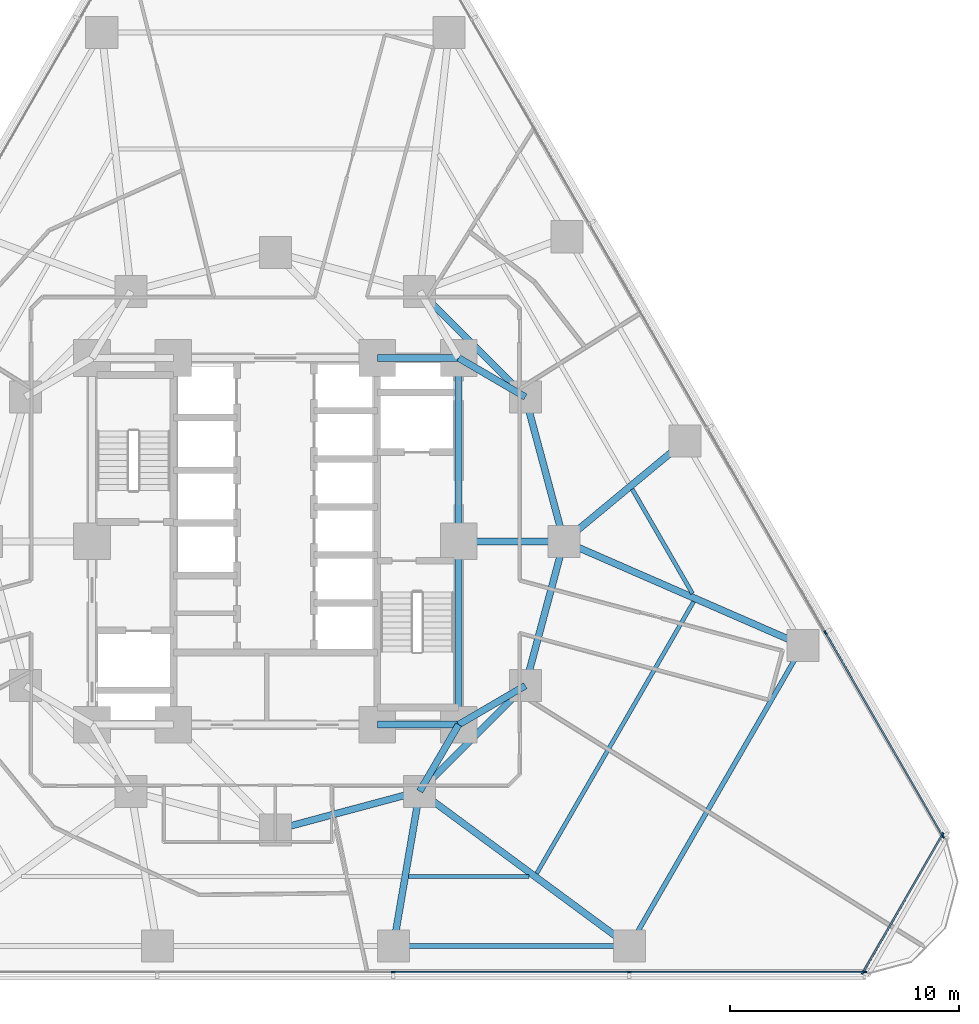
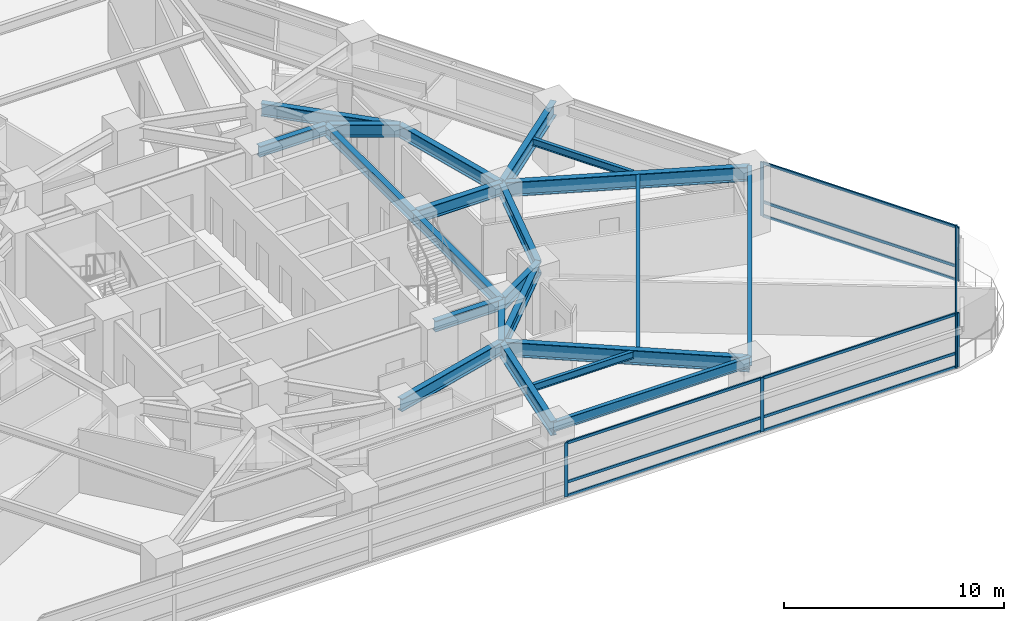
# One storey, part 4 of 15: 22 beams, 19 members, 3 elements without a shape of their own.
"""IFC4 building model written with IfcOpenShell, lengths in metres."""

from ifc_helpers import new_model, si_unit, direction, frame, origin, origin_2d, place, context, subcontext, project, spatial, rectangle, i_section, extrude, material, layer, layer_set, material_profile, profile_set, type_object, element, aggregate, save


model = new_model("IFC4")

# Units and contexts
model_context = context("Model", 3, precision=1e-05, world=origin(), true_north=direction((0.0, 1.0)))
body_context = subcontext(model_context, "Body", "Model", "MODEL_VIEW")
ifc_project = project(units=[si_unit("LENGTHUNIT", "METRE"), si_unit("AREAUNIT", "SQUARE_METRE"), si_unit("VOLUMEUNIT", "CUBIC_METRE"), si_unit("PLANEANGLEUNIT", "RADIAN"), si_unit("MASSUNIT", "GRAM", prefix="KILO")], contexts=[model_context])

# Site, building, storey
site_placement = place(None, origin())
site = spatial("IfcSite", under=ifc_project, at=site_placement, CompositionType="ELEMENT")
building_placement = place(site_placement, origin())
building = spatial("IfcBuilding", under=site, at=building_placement, Name="Terralouvre Media Tower", CompositionType="ELEMENT")
storey_placement = place(building_placement, frame((0.0, 0.0, 33.39990234375)))
storey = spatial("IfcBuildingStorey", under=building, at=storey_placement, Name="L07", CompositionType="ELEMENT", Elevation=33.39990234375)

# Beams
ifc_material_1 = material(Name="Structural steel S355J2", Category="steel")
ifc_material_profile_1 = material_profile(ifc_material_1, i_section(OverallWidth=0.179931640625, OverallDepth=0.39990234375, WebThickness=0.008544921875, FlangeThickness=0.013427734375, at=origin_2d()), Name="IPE 400")
ifc_profile_set_1 = profile_set([ifc_material_profile_1], Name="Structural steel S355J2")
beam_type_1 = type_object("IfcBeamType", Name="Composite Floor Joist J-IPE400 (IPE 400)", PredefinedType="JOIST", material=ifc_profile_set_1)
beam_1_placement = place(storey_placement, frame((5.817626953125, -14.627197265625, 3.300048828125), z_axis=(1.0, 0.0, 0.0), x_axis=(0.0, 1.0, 0.0)))
element("IfcBeam", 1, at=beam_1_placement, inside=storey, type_object=beam_type_1, Name="L07 Framing Beam JT-L07-04", PredefinedType="JOIST", context=body_context, shape_type="SweptSolid", body=[
    extrude(i_section(OverallWidth=0.179931640625, OverallDepth=0.39990234375, WebThickness=0.008544921875, FlangeThickness=0.013427734375, at=origin_2d()), origin(), (0.0, 0.0, 1.0), 5.264404296875),
])
beam_2_placement = place(storey_placement, frame((11.407470703125, -14.4970703125, 3.300048828125), z_axis=(0.500011895338, 0.866018535899, 0.0), x_axis=(-0.866018535899, 0.500011895338, 0.0)))
element("IfcBeam", 2, at=beam_2_placement, inside=storey, type_object=beam_type_1, Name="L07 Framing Beam JT-L07-05", PredefinedType="JOIST", context=body_context, shape_type="SweptSolid", body=[
    extrude(i_section(OverallWidth=0.179931640625, OverallDepth=0.39990234375, WebThickness=0.008544921875, FlangeThickness=0.013427734375, at=origin_2d()), origin(), (0.0, 0.0, 1.0), 13.702392578125),
])
beam_3_placement = place(storey_placement, frame((18.20849609375, -2.28369140625, 3.300048828125), z_axis=(-0.500019514865, 0.866014136579, 0.0), x_axis=(-0.866014136579, -0.500019514865, 0.0)))
element("IfcBeam", 3, at=beam_3_placement, inside=storey, type_object=beam_type_1, Name="L07 Framing Beam JT-L07-06", PredefinedType="JOIST", context=body_context, shape_type="SweptSolid", body=[
    extrude(i_section(OverallWidth=0.179931640625, OverallDepth=0.39990234375, WebThickness=0.008544921875, FlangeThickness=0.013427734375, at=origin_2d()), origin(), (0.0, 0.0, 1.0), 5.264404296875),
])

# Curtain wall, members
ifc_material_2 = material(Name="Low-iron laminated double glazing with solar-control coating", Category="glass")
ifc_layer_1 = layer(ifc_material_2, 0.1650390625, Name="Lower Media Tower Unitised Curtain Wall CW-02")
ifc_layer_set_1 = layer_set([ifc_layer_1], Name="Low-iron laminated double glazing with solar-control coating")
curtain_wall_type_1 = type_object("IfcCurtainWallType", Name="Lower Media Tower Unitised Curtain Wall CW-02", PredefinedType="NOTDEFINED", material=ifc_layer_set_1)
curtain_wall_1_placement = place(storey_placement, origin())
curtain_wall_1 = element("IfcCurtainWall", 4, at=curtain_wall_1_placement, inside=storey, type_object=curtain_wall_type_1, Name="L07 Facade Curtain Wall F0", PredefinedType="NOTDEFINED")
ifc_material_3 = material(Name="Anodised extruded aluminium 6063-T6", Category="aluminium")
ifc_material_profile_2 = material_profile(ifc_material_3, rectangle(XDim=0.074951171875, YDim=0.14990234375, at=origin_2d()), Name="ALU 75x150")
ifc_profile_set_2 = profile_set([ifc_material_profile_2], Name="Anodised extruded aluminium 6063-T6")
member_type_1 = type_object("IfcMemberType", Name="Curtain-Wall Horizontal Transom TR-150", PredefinedType="USERDEFINED", material=ifc_profile_set_2)
member_1_placement = place(storey_placement, frame((5.1875, -18.796875, 0.03759765625), z_axis=(1.0, 0.0, 0.0), x_axis=(0.0, 1.0, 0.0)))
member_1 = element("IfcMember", 5, at=member_1_placement, type_object=member_type_1, Name="CW-02 transom 4.1", ObjectType="TRANSOM", PredefinedType="USERDEFINED", context=body_context, shape_type="SweptSolid", body=[
    extrude(rectangle(XDim=0.074951171875, YDim=0.14990234375, at=origin_2d()), origin(), (0.0, 0.0, 1.0), 10.22509765625),
])
member_2_placement = place(storey_placement, frame((5.1875, -18.796875, 0.800048828125), z_axis=(1.0, 0.0, 0.0), x_axis=(0.0, 1.0, 0.0)))
member_2 = element("IfcMember", 6, at=member_2_placement, type_object=member_type_1, Name="CW-02 transom 4.2", ObjectType="TRANSOM", PredefinedType="USERDEFINED", context=body_context, shape_type="SweptSolid", body=[
    extrude(rectangle(XDim=0.074951171875, YDim=0.14990234375, at=origin_2d()), origin(), (0.0, 0.0, 1.0), 10.22509765625),
])
member_3_placement = place(storey_placement, frame((5.1875, -18.796875, 2.962646484375), z_axis=(1.0, 0.0, 0.0), x_axis=(0.0, 1.0, 0.0)))
member_3 = element("IfcMember", 7, at=member_3_placement, type_object=member_type_1, Name="CW-02 transom 4.3", ObjectType="TRANSOM", PredefinedType="USERDEFINED", context=body_context, shape_type="SweptSolid", body=[
    extrude(rectangle(XDim=0.074951171875, YDim=0.14990234375, at=origin_2d()), origin(), (0.0, 0.0, 1.0), 10.22509765625),
])
member_4_placement = place(storey_placement, frame((15.487548828125, -18.796875, 0.03759765625), z_axis=(1.0, 0.0, 0.0), x_axis=(0.0, 1.0, 0.0)))
member_4 = element("IfcMember", 8, at=member_4_placement, type_object=member_type_1, Name="CW-02 transom 5.1", ObjectType="TRANSOM", PredefinedType="USERDEFINED", context=body_context, shape_type="SweptSolid", body=[
    extrude(rectangle(XDim=0.074951171875, YDim=0.14990234375, at=origin_2d()), origin(), (0.0, 0.0, 1.0), 10.1875),
])
member_5_placement = place(storey_placement, frame((15.487548828125, -18.796875, 0.800048828125), z_axis=(1.0, 0.0, 0.0), x_axis=(0.0, 1.0, 0.0)))
member_5 = element("IfcMember", 9, at=member_5_placement, type_object=member_type_1, Name="CW-02 transom 5.2", ObjectType="TRANSOM", PredefinedType="USERDEFINED", context=body_context, shape_type="SweptSolid", body=[
    extrude(rectangle(XDim=0.074951171875, YDim=0.14990234375, at=origin_2d()), origin(), (0.0, 0.0, 1.0), 10.1875),
])
member_6_placement = place(storey_placement, frame((15.487548828125, -18.796875, 2.962646484375), z_axis=(1.0, 0.0, 0.0), x_axis=(0.0, 1.0, 0.0)))
member_6 = element("IfcMember", 10, at=member_6_placement, type_object=member_type_1, Name="CW-02 transom 5.3", ObjectType="TRANSOM", PredefinedType="USERDEFINED", context=body_context, shape_type="SweptSolid", body=[
    extrude(rectangle(XDim=0.074951171875, YDim=0.14990234375, at=origin_2d()), origin(), (0.0, 0.0, 1.0), 10.1875),
])

curtain_wall_2_placement = place(storey_placement, origin())
curtain_wall_2 = element("IfcCurtainWall", 11, at=curtain_wall_2_placement, inside=storey, type_object=curtain_wall_type_1, Name="L07 Facade Curtain Wall F1", PredefinedType="NOTDEFINED")
member_7_placement = place(storey_placement, frame((29.115966796875, -12.8369140625, 0.03759765625), z_axis=(-0.499994895054, 0.866028351106, 0.0), x_axis=(-0.866028351106, -0.499994895054, 0.0)))
member_7 = element("IfcMember", 12, at=member_7_placement, type_object=member_type_1, Name="CW-02 transom 1.1", ObjectType="TRANSOM", PredefinedType="USERDEFINED", context=body_context, shape_type="SweptSolid", body=[
    extrude(rectangle(XDim=0.074951171875, YDim=0.14990234375, at=origin_2d()), origin(), (0.0, 0.0, 1.0), 10.1875),
])
member_8_placement = place(storey_placement, frame((29.115966796875, -12.8369140625, 0.800048828125), z_axis=(-0.499994895054, 0.866028351106, 0.0), x_axis=(-0.866028351106, -0.499994895054, 0.0)))
member_8 = element("IfcMember", 13, at=member_8_placement, type_object=member_type_1, Name="CW-02 transom 1.2", ObjectType="TRANSOM", PredefinedType="USERDEFINED", context=body_context, shape_type="SweptSolid", body=[
    extrude(rectangle(XDim=0.074951171875, YDim=0.14990234375, at=origin_2d()), origin(), (0.0, 0.0, 1.0), 10.1875),
])
member_9_placement = place(storey_placement, frame((29.115966796875, -12.8369140625, 2.962646484375), z_axis=(-0.499994895054, 0.866028351106, 0.0), x_axis=(-0.866028351106, -0.499994895054, 0.0)))
member_9 = element("IfcMember", 14, at=member_9_placement, type_object=member_type_1, Name="CW-02 transom 1.3", ObjectType="TRANSOM", PredefinedType="USERDEFINED", context=body_context, shape_type="SweptSolid", body=[
    extrude(rectangle(XDim=0.074951171875, YDim=0.14990234375, at=origin_2d()), origin(), (0.0, 0.0, 1.0), 10.1875),
])

ifc_material_4 = material(Name="Low-iron laminated double glazing with solar-control coating", Category="glass")
ifc_layer_2 = layer(ifc_material_4, 0.1650390625, Name="Rounded Wind-Corner Curved Glazing CW-04")
ifc_layer_set_2 = layer_set([ifc_layer_2], Name="Low-iron laminated double glazing with solar-control coating")
curtain_wall_type_2 = type_object("IfcCurtainWallType", Name="Rounded Wind-Corner Curved Glazing CW-04", PredefinedType="NOTDEFINED", material=ifc_layer_set_2)
curtain_wall_3_placement = place(storey_placement, origin())
curtain_wall_3 = element("IfcCurtainWall", 15, at=curtain_wall_3_placement, inside=storey, type_object=curtain_wall_type_2, Name="L07 Rounded Wind-Corner Curtain Wall C1", PredefinedType="NOTDEFINED")
member_10_placement = place(storey_placement, frame((25.666259765625, -18.78173828125, 0.03759765625), z_axis=(0.499998495495, 0.866026272409, 0.0), x_axis=(-0.866026272409, 0.499998495495, 0.0)))
member_10 = element("IfcMember", 16, at=member_10_placement, type_object=member_type_1, Name="CW-04 transom 1.1", ObjectType="TRANSOM", PredefinedType="USERDEFINED", context=body_context, shape_type="SweptSolid", body=[
    extrude(rectangle(XDim=0.074951171875, YDim=0.14990234375, at=origin_2d()), origin(), (0.0, 0.0, 1.0), 6.86474609375),
])
member_11_placement = place(storey_placement, frame((25.666259765625, -18.78173828125, 0.800048828125), z_axis=(0.499998495495, 0.866026272409, 0.0), x_axis=(-0.866026272409, 0.499998495495, 0.0)))
member_11 = element("IfcMember", 17, at=member_11_placement, type_object=member_type_1, Name="CW-04 transom 1.2", ObjectType="TRANSOM", PredefinedType="USERDEFINED", context=body_context, shape_type="SweptSolid", body=[
    extrude(rectangle(XDim=0.074951171875, YDim=0.14990234375, at=origin_2d()), origin(), (0.0, 0.0, 1.0), 6.86474609375),
])
member_12_placement = place(storey_placement, frame((25.666259765625, -18.78173828125, 2.962646484375), z_axis=(0.499998495495, 0.866026272409, 0.0), x_axis=(-0.866026272409, 0.499998495495, 0.0)))
member_12 = element("IfcMember", 18, at=member_12_placement, type_object=member_type_1, Name="CW-04 transom 1.3", ObjectType="TRANSOM", PredefinedType="USERDEFINED", context=body_context, shape_type="SweptSolid", body=[
    extrude(rectangle(XDim=0.074951171875, YDim=0.14990234375, at=origin_2d()), origin(), (0.0, 0.0, 1.0), 6.86474609375),
])

# Member
ifc_material_5 = material(Name="Anodised extruded aluminium 6063-T6", Category="aluminium")
ifc_material_profile_3 = material_profile(ifc_material_5, rectangle(XDim=0.074951171875, YDim=0.179931640625, at=origin_2d()), Name="ALU 75x180")
ifc_profile_set_3 = profile_set([ifc_material_profile_3], Name="Anodised extruded aluminium 6063-T6")
member_type_2 = type_object("IfcMemberType", Name="Curtain-Wall Vertical Mullion ML-180", PredefinedType="MULLION", material=ifc_profile_set_3)
member_13_placement = place(storey_placement, frame((5.14990234375, -18.796875, 0.0), z_axis=(0.0, 0.0, 1.0), x_axis=(0.0, 1.0, 0.0)))
member_13 = element("IfcMember", 19, at=member_13_placement, type_object=member_type_2, Name="CW-02 mullion 4", PredefinedType="MULLION", context=body_context, shape_type="SweptSolid", body=[
    extrude(rectangle(XDim=0.074951171875, YDim=0.179931640625, at=origin_2d()), origin(), (0.0, 0.0, 1.0), 3.0),
])

member_14_placement = place(storey_placement, frame((15.449951171875, -18.796875, 0.0), z_axis=(0.0, 0.0, 1.0), x_axis=(0.0, 1.0, 0.0)))
member_14 = element("IfcMember", 20, at=member_14_placement, type_object=member_type_2, Name="CW-02 mullion 5", PredefinedType="MULLION", context=body_context, shape_type="SweptSolid", body=[
    extrude(rectangle(XDim=0.074951171875, YDim=0.179931640625, at=origin_2d()), origin(), (0.0, 0.0, 1.0), 3.0),
])

member_15_placement = place(storey_placement, frame((25.71240234375, -18.796875, 0.0), z_axis=(0.0, 0.0, 1.0), x_axis=(0.0, 1.0, 0.0)))
member_15 = element("IfcMember", 21, at=member_15_placement, type_object=member_type_2, Name="CW-02 mullion 6", PredefinedType="MULLION", context=body_context, shape_type="SweptSolid", body=[
    extrude(rectangle(XDim=0.074951171875, YDim=0.179931640625, at=origin_2d()), origin(), (0.0, 0.0, 1.0), 3.0),
])

aggregate(curtain_wall_1, [member_13, member_14, member_15, member_1, member_2, member_3, member_4, member_5, member_6])

member_16_placement = place(storey_placement, frame((29.134765625, -12.869384765625, 0.0), z_axis=(0.0, 0.0, 1.0), x_axis=(-0.866025412057, -0.499999985671, 0.0)))
member_16 = element("IfcMember", 22, at=member_16_placement, type_object=member_type_2, Name="CW-02 mullion 1", PredefinedType="MULLION", context=body_context, shape_type="SweptSolid", body=[
    extrude(rectangle(XDim=0.074951171875, YDim=0.179931640625, at=origin_2d()), origin(), (0.0, 0.0, 1.0), 3.0),
])

member_17_placement = place(storey_placement, frame((24.00341796875, -3.981689453125, 0.0), z_axis=(0.0, 0.0, 1.0), x_axis=(-0.866025412057, -0.499999985671, 0.0)))
member_17 = element("IfcMember", 23, at=member_17_placement, type_object=member_type_2, Name="CW-02 mullion 2", PredefinedType="MULLION", context=body_context, shape_type="SweptSolid", body=[
    extrude(rectangle(XDim=0.074951171875, YDim=0.179931640625, at=origin_2d()), origin(), (0.0, 0.0, 1.0), 3.0),
])

aggregate(curtain_wall_2, [member_16, member_17, member_7, member_8, member_9])

member_18_placement = place(storey_placement, frame((25.6474609375, -18.814208984375, 0.0), z_axis=(0.0, 0.0, 1.0), x_axis=(-0.866025581895, 0.499999691503, 0.0)))
member_18 = element("IfcMember", 24, at=member_18_placement, type_object=member_type_2, Name="CW-04 mullion 1", PredefinedType="MULLION", context=body_context, shape_type="SweptSolid", body=[
    extrude(rectangle(XDim=0.074951171875, YDim=0.179931640625, at=origin_2d()), origin(), (0.0, 0.0, 1.0), 3.0),
])

member_19_placement = place(storey_placement, frame((29.117431640625, -12.80419921875, 0.0), z_axis=(0.0, 0.0, 1.0), x_axis=(-0.866025581895, 0.499999691503, 0.0)))
member_19 = element("IfcMember", 25, at=member_19_placement, type_object=member_type_2, Name="CW-04 mullion 2", PredefinedType="MULLION", context=body_context, shape_type="SweptSolid", body=[
    extrude(rectangle(XDim=0.074951171875, YDim=0.179931640625, at=origin_2d()), origin(), (0.0, 0.0, 1.0), 3.0),
])

aggregate(curtain_wall_3, [member_18, member_19, member_10, member_11, member_12])

# Beams
ifc_material_6 = material(Name="Structural steel S355J2", Category="steel")
ifc_material_profile_4 = material_profile(ifc_material_6, i_section(OverallWidth=0.2099609375, OverallDepth=0.550048828125, WebThickness=0.010986328125, FlangeThickness=0.01708984375, at=origin_2d()), Name="IPE 550")
ifc_profile_set_4 = profile_set([ifc_material_profile_4], Name="Structural steel S355J2")
beam_type_2 = type_object("IfcBeamType", Name="Perimeter Spandrel Beam SPB-550 (IPE 550)", PredefinedType="SPANDREL", material=ifc_profile_set_4)
beam_4_placement = place(storey_placement, frame((5.14990234375, -17.666748046875, 3.22509765625), z_axis=(1.0, 0.0, 0.0), x_axis=(0.0, 1.0, 0.0)))
element("IfcBeam", 26, at=beam_4_placement, inside=storey, type_object=beam_type_2, Name="L07 Framing Beam BM-L07-PR04", PredefinedType="SPANDREL", context=body_context, shape_type="SweptSolid", body=[
    extrude(i_section(OverallWidth=0.2099609375, OverallDepth=0.550048828125, WebThickness=0.010986328125, FlangeThickness=0.01708984375, at=origin_2d()), origin(), (0.0, 0.0, 1.0), 10.300048828125),
])
beam_5_placement = place(storey_placement, frame((15.449951171875, -17.666748046875, 3.22509765625), z_axis=(0.500002375365, 0.866024032363, 0.0), x_axis=(-0.866024032363, 0.500002375365, 0.0)))
element("IfcBeam", 27, at=beam_5_placement, inside=storey, type_object=beam_type_2, Name="L07 Framing Beam BM-L07-PR05", PredefinedType="SPANDREL", context=body_context, shape_type="SweptSolid", body=[
    extrude(i_section(OverallWidth=0.2099609375, OverallDepth=0.550048828125, WebThickness=0.010986328125, FlangeThickness=0.01708984375, at=origin_2d()), origin(), (0.0, 0.0, 1.0), 15.14990234375),
])
ifc_material_7 = material(Name="Structural steel S460M", Category="steel")
ifc_material_profile_5 = material_profile(ifc_material_7, i_section(OverallWidth=0.300048828125, OverallDepth=0.60009765625, WebThickness=0.015380859375, FlangeThickness=0.030029296875, at=origin_2d()), Name="HEB 600")
ifc_profile_set_5 = profile_set([ifc_material_profile_5], Name="Structural steel S460M")
beam_type_3 = type_object("IfcBeamType", Name="Primary Floor Girder B-HEB600 (HEB 600)", PredefinedType="BEAM", material=ifc_profile_set_5)
beam_6_placement = place(storey_placement, frame((4.449951171875, -8.0, 3.2001953125), z_axis=(1.0, 0.0, 0.0), x_axis=(0.0, 1.0, 0.0)))
element("IfcBeam", 28, at=beam_6_placement, inside=storey, type_object=beam_type_3, Name="L07 Framing Beam BM-L07-CPR03", PredefinedType="BEAM", context=body_context, shape_type="SweptSolid", body=[
    extrude(i_section(OverallWidth=0.300048828125, OverallDepth=0.60009765625, WebThickness=0.015380859375, FlangeThickness=0.030029296875, at=origin_2d()), origin(), (0.0, 0.0, 1.0), 3.550048828125),
])
for number, where, z_axis, x_axis, name in (
    (29, (8.0, -8.0, 3.2001953125), (0.0, 1.0, 0.0), (-1.0, 0.0, 0.0), "L07 Framing Beam BM-L07-CPR04"),
    (30, (8.0, 0.0, 3.2001953125), (0.0, 1.0, 0.0), (-1.0, 0.0, 0.0), "L07 Framing Beam BM-L07-CPR05"),
):
    element("IfcBeam", number, at=place(storey_placement, frame(where, z_axis=z_axis, x_axis=x_axis)), inside=storey, type_object=beam_type_3, Name=name, PredefinedType="BEAM", context=body_context, shape_type="SweptSolid", body=[
        extrude(i_section(OverallWidth=0.300048828125, OverallDepth=0.60009765625, WebThickness=0.015380859375, FlangeThickness=0.030029296875, at=origin_2d()), origin(), (0.0, 0.0, 1.0), 8.0),
    ])
beam_7_placement = place(storey_placement, frame((8.0, 8.0, 3.2001953125), z_axis=(-1.0, 0.0, 0.0), x_axis=(0.0, -1.0, 0.0)))
element("IfcBeam", 31, at=beam_7_placement, inside=storey, type_object=beam_type_3, Name="L07 Framing Beam BM-L07-CPR06", PredefinedType="BEAM", context=body_context, shape_type="SweptSolid", body=[
    extrude(i_section(OverallWidth=0.300048828125, OverallDepth=0.60009765625, WebThickness=0.015380859375, FlangeThickness=0.030029296875, at=origin_2d()), origin(), (0.0, 0.0, 1.0), 3.550048828125),
])
ifc_material_8 = material(Name="Structural steel S460M", Category="steel")
ifc_material_profile_6 = material_profile(ifc_material_8, i_section(OverallWidth=0.300048828125, OverallDepth=0.699951171875, WebThickness=0.01708984375, FlangeThickness=0.031982421875, at=origin_2d()), Name="HEB 700")
ifc_profile_set_6 = profile_set([ifc_material_profile_6], Name="Structural steel S460M")
beam_type_4 = type_object("IfcBeamType", Name="Primary Floor Girder B-HEB700 (HEB 700)", PredefinedType="BEAM", material=ifc_profile_set_6)
beam_8_placement = place(storey_placement, frame((0.0, -12.60009765625, 3.150146484375), z_axis=(0.965920481897, 0.258838989821, 0.0), x_axis=(-0.258838989821, 0.965920481897, 0.0)))
element("IfcBeam", 32, at=beam_8_placement, inside=storey, type_object=beam_type_4, Name="L07 Framing Beam BM-L07-MR03", PredefinedType="BEAM", context=body_context, shape_type="SweptSolid", body=[
    extrude(i_section(OverallWidth=0.300048828125, OverallDepth=0.699951171875, WebThickness=0.01708984375, FlangeThickness=0.031982421875, at=origin_2d()), origin(), (0.0, 0.0, 1.0), 6.522216796875),
])
beam_9_placement = place(storey_placement, frame((6.300048828125, -10.911865234375, 3.150146484375), z_axis=(0.707106781187, 0.707106781187, 0.0), x_axis=(-0.707106781187, 0.707106781187, 0.0)))
element("IfcBeam", 33, at=beam_9_placement, inside=storey, type_object=beam_type_4, Name="L07 Framing Beam BM-L07-MR04", PredefinedType="BEAM", context=body_context, shape_type="SweptSolid", body=[
    extrude(i_section(OverallWidth=0.300048828125, OverallDepth=0.699951171875, WebThickness=0.01708984375, FlangeThickness=0.031982421875, at=origin_2d()), origin(), (0.0, 0.0, 1.0), 6.52197265625),
])
for number, where, z_axis, x_axis, name in (
    (34, (10.911865234375, -6.300048828125, 3.150146484375), (0.258838989821, 0.965920481897, 0.0), (-0.965920481897, 0.258838989821, 0.0), "L07 Framing Beam BM-L07-MR05"),
    (35, (12.60009765625, 0.0, 3.150146484375), (-0.258838989821, 0.965920481897, 0.0), (-0.965920481897, -0.258838989821, 0.0), "L07 Framing Beam BM-L07-MR06"),
):
    element("IfcBeam", number, at=place(storey_placement, frame(where, z_axis=z_axis, x_axis=x_axis)), inside=storey, type_object=beam_type_4, Name=name, PredefinedType="BEAM", context=body_context, shape_type="SweptSolid", body=[
        extrude(i_section(OverallWidth=0.300048828125, OverallDepth=0.699951171875, WebThickness=0.01708984375, FlangeThickness=0.031982421875, at=origin_2d()), origin(), (0.0, 0.0, 1.0), 6.522216796875),
    ])
beam_10_placement = place(storey_placement, frame((10.911865234375, 6.300048828125, 3.150146484375), z_axis=(-0.707106781187, 0.707106781187, 0.0), x_axis=(-0.707106781187, -0.707106781187, 0.0)))
element("IfcBeam", 36, at=beam_10_placement, inside=storey, type_object=beam_type_4, Name="L07 Framing Beam BM-L07-MR07", PredefinedType="BEAM", context=body_context, shape_type="SweptSolid", body=[
    extrude(i_section(OverallWidth=0.300048828125, OverallDepth=0.699951171875, WebThickness=0.01708984375, FlangeThickness=0.031982421875, at=origin_2d()), origin(), (0.0, 0.0, 1.0), 6.52197265625),
])
for number, where, z_axis, x_axis, name in (
    (37, (8.0, -8.0, 3.150146484375), (-0.504172629717, -0.863602894532, 0.0), (0.863602894532, -0.504172629717, 0.0), "L07 Framing Beam BM-L07-CM04"),
    (38, (8.0, -8.0, 3.150146484375), (0.863602894532, 0.504172629717, 0.0), (-0.504172629717, 0.863602894532, 0.0), "L07 Framing Beam BM-L07-CM05"),
):
    element("IfcBeam", number, at=place(storey_placement, frame(where, z_axis=z_axis, x_axis=x_axis)), inside=storey, type_object=beam_type_4, Name=name, PredefinedType="BEAM", context=body_context, shape_type="SweptSolid", body=[
        extrude(i_section(OverallWidth=0.300048828125, OverallDepth=0.699951171875, WebThickness=0.01708984375, FlangeThickness=0.031982421875, at=origin_2d()), origin(), (0.0, 0.0, 1.0), 3.371826171875),
    ])
beam_11_placement = place(storey_placement, frame((8.0, 0.0, 3.150146484375), z_axis=(1.0, 0.0, 0.0), x_axis=(0.0, 1.0, 0.0)))
element("IfcBeam", 39, at=beam_11_placement, inside=storey, type_object=beam_type_4, Name="L07 Framing Beam BM-L07-CM06", PredefinedType="BEAM", context=body_context, shape_type="SweptSolid", body=[
    extrude(i_section(OverallWidth=0.300048828125, OverallDepth=0.699951171875, WebThickness=0.01708984375, FlangeThickness=0.031982421875, at=origin_2d()), origin(), (0.0, 0.0, 1.0), 4.60009765625),
])
beam_12_placement = place(storey_placement, frame((8.0, 8.0, 3.150146484375), z_axis=(0.863602894532, -0.504172629717, 0.0), x_axis=(0.504172629717, 0.863602894532, 0.0)))
element("IfcBeam", 40, at=beam_12_placement, inside=storey, type_object=beam_type_4, Name="L07 Framing Beam BM-L07-CM07", PredefinedType="BEAM", context=body_context, shape_type="SweptSolid", body=[
    extrude(i_section(OverallWidth=0.300048828125, OverallDepth=0.699951171875, WebThickness=0.01708984375, FlangeThickness=0.031982421875, at=origin_2d()), origin(), (0.0, 0.0, 1.0), 3.371826171875),
])
ifc_material_9 = material(Name="Structural steel S460M", Category="steel")
ifc_material_profile_7 = material_profile(ifc_material_9, i_section(OverallWidth=0.300048828125, OverallDepth=0.800048828125, WebThickness=0.017578125, FlangeThickness=0.032958984375, at=origin_2d()), Name="HEB 800")
ifc_profile_set_7 = profile_set([ifc_material_profile_7], Name="Structural steel S460M")
beam_type_5 = type_object("IfcBeamType", Name="Primary Floor Girder B-HEB800 (HEB 800)", PredefinedType="BEAM", material=ifc_profile_set_7)
beam_13_placement = place(storey_placement, frame((6.300048828125, -10.911865234375, 3.10009765625), z_axis=(-0.167853129882, -0.98581201392, 0.0), x_axis=(0.98581201392, -0.167853129882, 0.0)))
element("IfcBeam", 41, at=beam_13_placement, inside=storey, type_object=beam_type_5, Name="L07 Framing Beam BM-L07-RD04", PredefinedType="BEAM", context=body_context, shape_type="SweptSolid", body=[
    extrude(i_section(OverallWidth=0.300048828125, OverallDepth=0.800048828125, WebThickness=0.017578125, FlangeThickness=0.032958984375, at=origin_2d()), origin(), (0.0, 0.0, 1.0), 6.85205078125),
])
beam_14_placement = place(storey_placement, frame((6.300048828125, -10.911865234375, 3.10009765625), z_axis=(0.804515955091, -0.593931038088, 0.0), x_axis=(0.593931038088, 0.804515955091, 0.0)))
element("IfcBeam", 42, at=beam_14_placement, inside=storey, type_object=beam_type_5, Name="L07 Framing Beam BM-L07-RD05", PredefinedType="BEAM", context=body_context, shape_type="SweptSolid", body=[
    extrude(i_section(OverallWidth=0.300048828125, OverallDepth=0.800048828125, WebThickness=0.017578125, FlangeThickness=0.032958984375, at=origin_2d()), origin(), (0.0, 0.0, 1.0), 11.373291015625),
])
beam_15_placement = place(storey_placement, frame((12.60009765625, 0.0, 3.10009765625), z_axis=(0.916615903868, -0.399769039291, 0.0), x_axis=(0.399769039291, 0.916615903868, 0.0)))
element("IfcBeam", 43, at=beam_15_placement, inside=storey, type_object=beam_type_5, Name="L07 Framing Beam BM-L07-RD06", PredefinedType="BEAM", context=body_context, shape_type="SweptSolid", body=[
    extrude(i_section(OverallWidth=0.300048828125, OverallDepth=0.800048828125, WebThickness=0.017578125, FlangeThickness=0.032958984375, at=origin_2d()), origin(), (0.0, 0.0, 1.0), 11.373046875),
])
beam_16_placement = place(storey_placement, frame((12.60009765625, 0.0, 3.10009765625), z_axis=(0.769816459478, 0.638265320001, 0.0), x_axis=(-0.638265320001, 0.769816459478, 0.0)))
element("IfcBeam", 44, at=beam_16_placement, inside=storey, type_object=beam_type_5, Name="L07 Framing Beam BM-L07-RD07", PredefinedType="BEAM", context=body_context, shape_type="SweptSolid", body=[
    extrude(i_section(OverallWidth=0.300048828125, OverallDepth=0.800048828125, WebThickness=0.017578125, FlangeThickness=0.032958984375, at=origin_2d()), origin(), (0.0, 0.0, 1.0), 6.851806640625),
])

save(model, "model.ifc")
